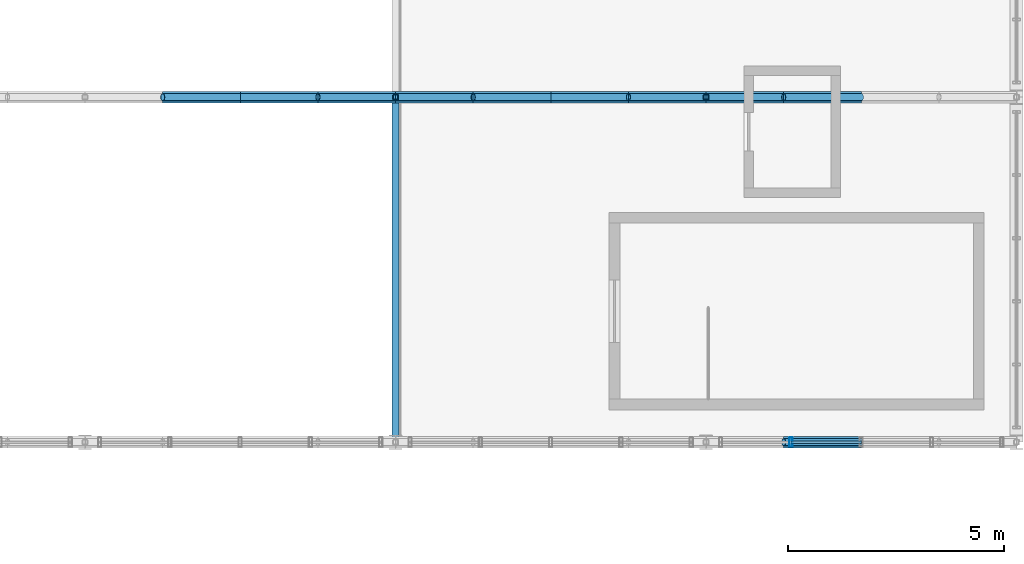
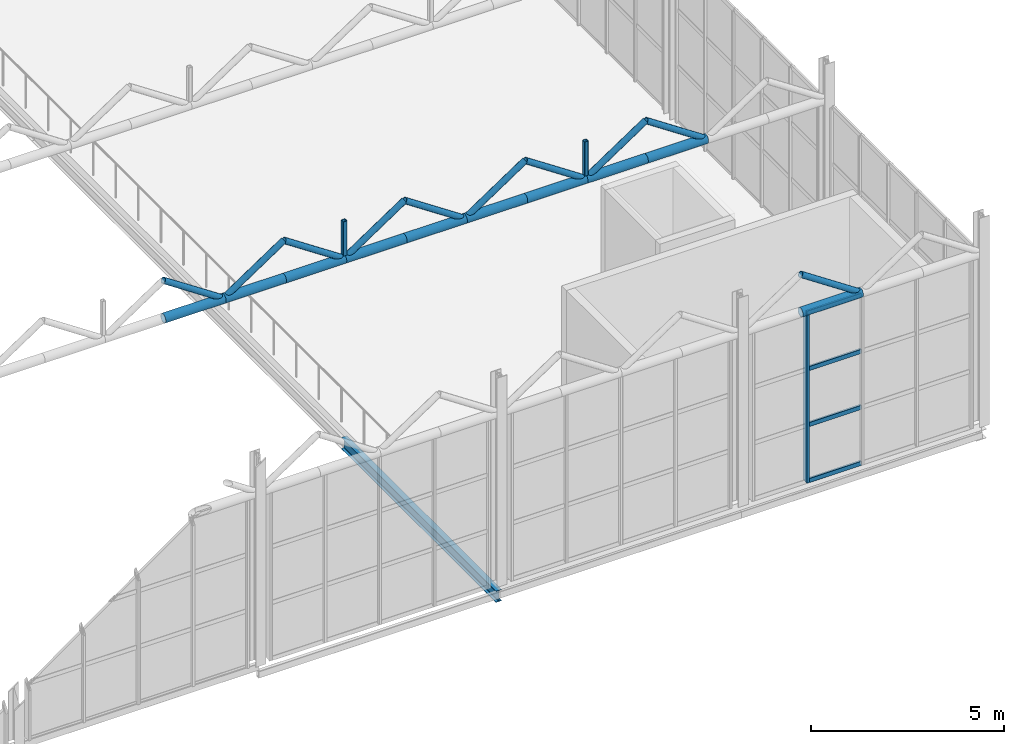
# One storey, part 86 of 153: 27 members, 1 beam, 1 element without a shape of its own.
"""IFC4 building model written with IfcOpenShell, lengths in metres."""

from ifc_helpers import new_model, si_unit, derived_unit, direction, frame, origin, origin_2d, place, context, subcontext, project, spatial, hollow_rectangle, hollow_circle, i_section, extrude, material, material_profile, profile_set, type_object, element, aggregate, save


model = new_model("IFC4")

# Units and contexts
model_context = context("Model", 3, precision=1e-05, world=origin(), true_north=direction((0.0, 1.0)))
body_context = subcontext(model_context, "Body", "Model", "MODEL_VIEW")
ifc_project = project(units=[si_unit("LENGTHUNIT", "METRE"), si_unit("AREAUNIT", "SQUARE_METRE"), si_unit("VOLUMEUNIT", "CUBIC_METRE"), si_unit("PLANEANGLEUNIT", "RADIAN"), si_unit("MASSUNIT", "GRAM", prefix="KILO"), derived_unit("THERMALTRANSMITTANCEUNIT", [(si_unit("POWERUNIT", "WATT"), 1), (si_unit("LENGTHUNIT", "METRE"), -2), (si_unit("THERMODYNAMICTEMPERATUREUNIT", "KELVIN"), -1)])], contexts=[model_context])

# Site, building, storey
site_placement = place(None, origin())
site = spatial("IfcSite", under=ifc_project, at=site_placement, CompositionType="ELEMENT")
building_placement = place(site_placement, origin())
building = spatial("IfcBuilding", under=site, at=building_placement, Name="Keldorne Ridge Multi-Sports Centre", CompositionType="ELEMENT")
storey_placement = place(building_placement, frame((0.0, 0.0, 9.60009765625)))
storey = spatial("IfcBuildingStorey", under=building, at=storey_placement, Name="L02", CompositionType="ELEMENT", Elevation=9.60009765625)

# Beam
ifc_material_1 = material(Name="Steel S355", Category="steel")
ifc_material_profile_1 = material_profile(ifc_material_1, i_section(OverallWidth=0.169921875, OverallDepth=0.360107421875, WebThickness=0.008056640625, FlangeThickness=0.0126953125, FilletRadius=0.01806640625, at=origin_2d()), Name="IPE 360")
ifc_profile_set_1 = profile_set([ifc_material_profile_1], Name="Steel S355")
beam_type = type_object("IfcBeamType", Name="BM-B-05", PredefinedType="BEAM", material=ifc_profile_set_1)
beam_placement = place(storey_placement, frame((27.60009765625, 74.0, -0.420166015625), z_axis=(0.0, 1.0, 0.0), x_axis=(-1.0, 0.0, 0.0)))
element("IfcBeam", 1, at=beam_placement, inside=storey, type_object=beam_type, Name="L02 climbing gallery girder 74", PredefinedType="BEAM", context=body_context, shape_type="SweptSolid", body=[
    extrude(i_section(OverallWidth=0.169921875, OverallDepth=0.360107421875, WebThickness=0.008056640625, FlangeThickness=0.0126953125, FilletRadius=0.01806640625, at=origin_2d()), origin(), (0.0, 0.0, 1.0), 8.0),
])

# Curtain wall, member
ifc_material_2 = material(Name="Anodized aluminium", Category="aluminium")
curtain_wall_type = type_object("IfcCurtainWallType", Name="CW-CW-06", PredefinedType="NOTDEFINED", material=ifc_material_2)
curtain_wall_placement = place(storey_placement, origin())
curtain_wall = element("IfcCurtainWall", 2, at=curtain_wall_placement, inside=storey, type_object=curtain_wall_type, Name="Climbing upper south glazing 054", PredefinedType="NOTDEFINED")
ifc_material_profile_2 = material_profile(ifc_material_2, hollow_rectangle(XDim=0.074951171875, YDim=0.219970703125, WallThickness=0.0048828125, InnerFilletRadius=0.0048828125, OuterFilletRadius=0.010009765625, at=origin_2d()), Name="ALU MULLION 220x75x5")
ifc_profile_set_2 = profile_set([ifc_material_profile_2], Name="Anodized aluminium")
member_type_1 = type_object("IfcMemberType", Name="MEM-ML-02", PredefinedType="MULLION", material=ifc_profile_set_2)
member_1_placement = place(storey_placement, frame((36.77001953125, 74.0, 0.0), z_axis=(0.0, 0.0, 1.0), x_axis=(1.0, 0.0, 0.0)))
member_1 = element("IfcMember", 3, at=member_1_placement, type_object=member_type_1, Name="CW-054 vertical mullion 2", PredefinedType="MULLION", context=body_context, shape_type="SweptSolid", body=[
    extrude(hollow_rectangle(XDim=0.074951171875, YDim=0.219970703125, WallThickness=0.0048828125, InnerFilletRadius=0.0048828125, OuterFilletRadius=0.010009765625, at=origin_2d()), origin(), (0.0, 0.0, 1.0), 5.2998046875),
])

# Members
ifc_material_profile_3 = material_profile(ifc_material_1, hollow_circle(Radius=0.136474609375, WallThickness=0.012451171875, at=origin_2d()), Name="CHS 273x12.5")
ifc_profile_set_3 = profile_set([ifc_material_profile_3], Name="Steel S355")
member_type_2 = type_object("IfcMemberType", Name="MEM-TC-05", PredefinedType="CHORD", material=ifc_profile_set_3)
member_2_placement = place(storey_placement, frame((36.60009765625, 74.0, 5.3798828125), z_axis=(1.0, 0.0, 0.0), x_axis=(0.0, 1.0, 0.0)))
element("IfcMember", 4, at=member_2_placement, inside=storey, type_object=member_type_2, Name="Climbing sawtooth ROOF TRUSS ST-01 bottom chord 18", PredefinedType="CHORD", context=body_context, shape_type="SweptSolid", body=[
    extrude(hollow_circle(Radius=0.136474609375, WallThickness=0.012451171875, at=origin_2d()), origin(), (0.0, 0.0, 1.0), 1.7998046875),
])
for number, where, z_axis, x_axis, name in (
    (5, (22.199951171875, 82.0, 5.3798828125), (1.0, 0.0, 0.0), (0.0, 1.0, 0.0), "Climbing sawtooth ROOF TRUSS ST-02 bottom chord 10"),
    (6, (24.0, 82.0, 5.3798828125), (1.0, 0.0, 0.0), (0.0, 1.0, 0.0), "Climbing sawtooth ROOF TRUSS ST-02 bottom chord 11"),
    (7, (25.800048828125, 82.0, 5.3798828125), (1.0, 0.0, 0.0), (0.0, 1.0, 0.0), "Climbing sawtooth ROOF TRUSS ST-02 bottom chord 12"),
):
    element("IfcMember", number, at=place(storey_placement, frame(where, z_axis=z_axis, x_axis=x_axis)), inside=storey, type_object=member_type_2, Name=name, PredefinedType="CHORD", context=body_context, shape_type="SweptSolid", body=[
        extrude(hollow_circle(Radius=0.136474609375, WallThickness=0.012451171875, at=origin_2d()), origin(), (0.0, 0.0, 1.0), 1.800048828125),
    ])
member_3_placement = place(storey_placement, frame((27.60009765625, 82.0, 5.3798828125), z_axis=(1.0, 0.0, 0.0), x_axis=(0.0, 1.0, 0.0)))
element("IfcMember", 8, at=member_3_placement, inside=storey, type_object=member_type_2, Name="Climbing sawtooth ROOF TRUSS ST-02 bottom chord 13", PredefinedType="CHORD", context=body_context, shape_type="SweptSolid", body=[
    extrude(hollow_circle(Radius=0.136474609375, WallThickness=0.012451171875, at=origin_2d()), origin(), (0.0, 0.0, 1.0), 1.7998046875),
])
for number, where, z_axis, x_axis, name in (
    (9, (29.39990234375, 82.0, 5.3798828125), (1.0, 0.0, 0.0), (0.0, 1.0, 0.0), "Climbing sawtooth ROOF TRUSS ST-02 bottom chord 14"),
    (10, (31.199951171875, 82.0, 5.3798828125), (1.0, 0.0, 0.0), (0.0, 1.0, 0.0), "Climbing sawtooth ROOF TRUSS ST-02 bottom chord 15"),
    (11, (33.0, 82.0, 5.3798828125), (1.0, 0.0, 0.0), (0.0, 1.0, 0.0), "Climbing sawtooth ROOF TRUSS ST-02 bottom chord 16"),
    (12, (34.800048828125, 82.0, 5.3798828125), (1.0, 0.0, 0.0), (0.0, 1.0, 0.0), "Climbing sawtooth ROOF TRUSS ST-02 bottom chord 17"),
):
    element("IfcMember", number, at=place(storey_placement, frame(where, z_axis=z_axis, x_axis=x_axis)), inside=storey, type_object=member_type_2, Name=name, PredefinedType="CHORD", context=body_context, shape_type="SweptSolid", body=[
        extrude(hollow_circle(Radius=0.136474609375, WallThickness=0.012451171875, at=origin_2d()), origin(), (0.0, 0.0, 1.0), 1.800048828125),
    ])
member_4_placement = place(storey_placement, frame((36.60009765625, 82.0, 5.3798828125), z_axis=(1.0, 0.0, 0.0), x_axis=(0.0, 1.0, 0.0)))
element("IfcMember", 13, at=member_4_placement, inside=storey, type_object=member_type_2, Name="Climbing sawtooth ROOF TRUSS ST-02 bottom chord 18", PredefinedType="CHORD", context=body_context, shape_type="SweptSolid", body=[
    extrude(hollow_circle(Radius=0.136474609375, WallThickness=0.012451171875, at=origin_2d()), origin(), (0.0, 0.0, 1.0), 1.7998046875),
])
ifc_material_profile_4 = material_profile(ifc_material_1, hollow_circle(Radius=0.0888671875, WallThickness=0.010009765625, at=origin_2d()), Name="CHS 177.8x10")
ifc_profile_set_4 = profile_set([ifc_material_profile_4], Name="Steel S355")
member_type_3 = type_object("IfcMemberType", Name="MEM-TD-03", PredefinedType="BRACE", material=ifc_profile_set_4)
member_5_placement = place(storey_placement, frame((36.60009765625, 74.0, 6.579833984375), z_axis=(0.832032930248, 0.0, -0.554726241477), x_axis=(0.0, 1.0, 0.0)))
element("IfcMember", 14, at=member_5_placement, inside=storey, type_object=member_type_3, Name="Climbing sawtooth web diagonal 01.18", PredefinedType="BRACE", context=body_context, shape_type="SweptSolid", body=[
    extrude(hollow_circle(Radius=0.0888671875, WallThickness=0.010009765625, at=origin_2d()), origin(), (0.0, 0.0, 1.0), 2.1630859375),
])
for number, where, z_axis, x_axis, name in (
    (15, (22.199951171875, 82.0, 6.579833984375), (0.832067655982, 0.0, -0.554674152876), (0.0, 1.0, 0.0), "Climbing sawtooth web diagonal 02.10"),
    (16, (24.0, 82.0, 5.3798828125), (0.832067655982, 0.0, 0.554674152876), (0.0, 1.0, 0.0), "Climbing sawtooth web diagonal 02.11"),
    (17, (25.800048828125, 82.0, 6.579833984375), (0.832067655982, 0.0, -0.554674152876), (0.0, 1.0, 0.0), "Climbing sawtooth web diagonal 02.12"),
):
    element("IfcMember", number, at=place(storey_placement, frame(where, z_axis=z_axis, x_axis=x_axis)), inside=storey, type_object=member_type_3, Name=name, PredefinedType="BRACE", context=body_context, shape_type="SweptSolid", body=[
        extrude(hollow_circle(Radius=0.0888671875, WallThickness=0.010009765625, at=origin_2d()), origin(), (0.0, 0.0, 1.0), 2.163330078125),
    ])
member_6_placement = place(storey_placement, frame((27.60009765625, 82.0, 5.3798828125), z_axis=(0.832032930248, 0.0, 0.554726241477), x_axis=(0.0, 1.0, 0.0)))
element("IfcMember", 18, at=member_6_placement, inside=storey, type_object=member_type_3, Name="Climbing sawtooth web diagonal 02.13", PredefinedType="BRACE", context=body_context, shape_type="SweptSolid", body=[
    extrude(hollow_circle(Radius=0.0888671875, WallThickness=0.010009765625, at=origin_2d()), origin(), (0.0, 0.0, 1.0), 2.1630859375),
])
for number, where, z_axis, x_axis, name in (
    (19, (29.39990234375, 82.0, 6.579833984375), (0.832067655982, 0.0, -0.554674152876), (0.0, 1.0, 0.0), "Climbing sawtooth web diagonal 02.14"),
    (20, (31.199951171875, 82.0, 5.3798828125), (0.832067655982, 0.0, 0.554674152876), (0.0, 1.0, 0.0), "Climbing sawtooth web diagonal 02.15"),
    (21, (33.0, 82.0, 6.579833984375), (0.832067655982, 0.0, -0.554674152876), (0.0, 1.0, 0.0), "Climbing sawtooth web diagonal 02.16"),
    (22, (34.800048828125, 82.0, 5.3798828125), (0.832067655982, 0.0, 0.554674152876), (0.0, 1.0, 0.0), "Climbing sawtooth web diagonal 02.17"),
):
    element("IfcMember", number, at=place(storey_placement, frame(where, z_axis=z_axis, x_axis=x_axis)), inside=storey, type_object=member_type_3, Name=name, PredefinedType="BRACE", context=body_context, shape_type="SweptSolid", body=[
        extrude(hollow_circle(Radius=0.0888671875, WallThickness=0.010009765625, at=origin_2d()), origin(), (0.0, 0.0, 1.0), 2.163330078125),
    ])
member_7_placement = place(storey_placement, frame((36.60009765625, 82.0, 6.579833984375), z_axis=(0.832032930248, 0.0, -0.554726241477), x_axis=(0.0, 1.0, 0.0)))
element("IfcMember", 23, at=member_7_placement, inside=storey, type_object=member_type_3, Name="Climbing sawtooth web diagonal 02.18", PredefinedType="BRACE", context=body_context, shape_type="SweptSolid", body=[
    extrude(hollow_circle(Radius=0.0888671875, WallThickness=0.010009765625, at=origin_2d()), origin(), (0.0, 0.0, 1.0), 2.1630859375),
])

# Member
ifc_material_profile_5 = material_profile(ifc_material_2, hollow_rectangle(XDim=0.06494140625, YDim=0.139892578125, WallThickness=0.00439453125, InnerFilletRadius=0.00439453125, OuterFilletRadius=0.009033203125, at=origin_2d()), Name="ALU TRANSOM 140x65x4.5")
ifc_profile_set_5 = profile_set([ifc_material_profile_5], Name="Anodized aluminium")
member_type_4 = type_object("IfcMemberType", Name="MEM-TR-01", PredefinedType="USERDEFINED", material=ifc_profile_set_5)
member_8_placement = place(storey_placement, frame((36.77001953125, 74.0, 0.0), z_axis=(1.0, 0.0, 0.0), x_axis=(0.0, 1.0, 0.0)))
member_8 = element("IfcMember", 24, at=member_8_placement, type_object=member_type_4, Name="CW-054 transom 2.1", ObjectType="TRANSOM", PredefinedType="USERDEFINED", context=body_context, shape_type="SweptSolid", body=[
    extrude(hollow_rectangle(XDim=0.06494140625, YDim=0.139892578125, WallThickness=0.00439453125, InnerFilletRadius=0.00439453125, OuterFilletRadius=0.009033203125, at=origin_2d()), origin(), (0.0, 0.0, 1.0), 1.6298828125),
])

member_9_placement = place(storey_placement, frame((36.77001953125, 74.0, 1.7666015625), z_axis=(1.0, 0.0, 0.0), x_axis=(0.0, 1.0, 0.0)))
member_9 = element("IfcMember", 25, at=member_9_placement, type_object=member_type_4, Name="CW-054 transom 2.2", ObjectType="TRANSOM", PredefinedType="USERDEFINED", context=body_context, shape_type="SweptSolid", body=[
    extrude(hollow_rectangle(XDim=0.06494140625, YDim=0.139892578125, WallThickness=0.00439453125, InnerFilletRadius=0.00439453125, OuterFilletRadius=0.009033203125, at=origin_2d()), origin(), (0.0, 0.0, 1.0), 1.6298828125),
])

member_10_placement = place(storey_placement, frame((36.77001953125, 74.0, 3.533203125), z_axis=(1.0, 0.0, 0.0), x_axis=(0.0, 1.0, 0.0)))
member_10 = element("IfcMember", 26, at=member_10_placement, type_object=member_type_4, Name="CW-054 transom 2.3", ObjectType="TRANSOM", PredefinedType="USERDEFINED", context=body_context, shape_type="SweptSolid", body=[
    extrude(hollow_rectangle(XDim=0.06494140625, YDim=0.139892578125, WallThickness=0.00439453125, InnerFilletRadius=0.00439453125, OuterFilletRadius=0.009033203125, at=origin_2d()), origin(), (0.0, 0.0, 1.0), 1.6298828125),
])

member_11_placement = place(storey_placement, frame((36.77001953125, 74.0, 5.2998046875), z_axis=(1.0, 0.0, 0.0), x_axis=(0.0, 1.0, 0.0)))
member_11 = element("IfcMember", 27, at=member_11_placement, type_object=member_type_4, Name="CW-054 transom 2.4", ObjectType="TRANSOM", PredefinedType="USERDEFINED", context=body_context, shape_type="SweptSolid", body=[
    extrude(hollow_rectangle(XDim=0.06494140625, YDim=0.139892578125, WallThickness=0.00439453125, InnerFilletRadius=0.00439453125, OuterFilletRadius=0.009033203125, at=origin_2d()), origin(), (0.0, 0.0, 1.0), 1.6298828125),
])

aggregate(curtain_wall, [member_1, member_8, member_9, member_10, member_11])

# Members
ifc_material_profile_6 = material_profile(ifc_material_1, hollow_rectangle(XDim=0.1201171875, YDim=0.1201171875, WallThickness=0.008056640625, InnerFilletRadius=0.008056640625, OuterFilletRadius=0.01611328125, at=origin_2d()), Name="SHS 120x120x8")
ifc_profile_set_6 = profile_set([ifc_material_profile_6], Name="Steel S355")
member_type_5 = type_object("IfcMemberType", Name="MEM-TV-02", PredefinedType="STRUT", material=ifc_profile_set_6)
for number, where, z_axis, x_axis, name in (
    (28, (27.60009765625, 82.0, 5.3798828125), (0.0, 0.0, 1.0), (1.0, 0.0, 0.0), "Climbing sawtooth vertical strut 02.4"),
    (29, (34.800048828125, 82.0, 5.3798828125), (0.0, 0.0, 1.0), (1.0, 0.0, 0.0), "Climbing sawtooth vertical strut 02.5"),
):
    element("IfcMember", number, at=place(storey_placement, frame(where, z_axis=z_axis, x_axis=x_axis)), inside=storey, type_object=member_type_5, Name=name, PredefinedType="STRUT", context=body_context, shape_type="SweptSolid", body=[
        extrude(hollow_rectangle(XDim=0.1201171875, YDim=0.1201171875, WallThickness=0.008056640625, InnerFilletRadius=0.008056640625, OuterFilletRadius=0.01611328125, at=origin_2d()), origin(), (0.0, 0.0, 1.0), 1.199951171875),
    ])

save(model, "model.ifc")
